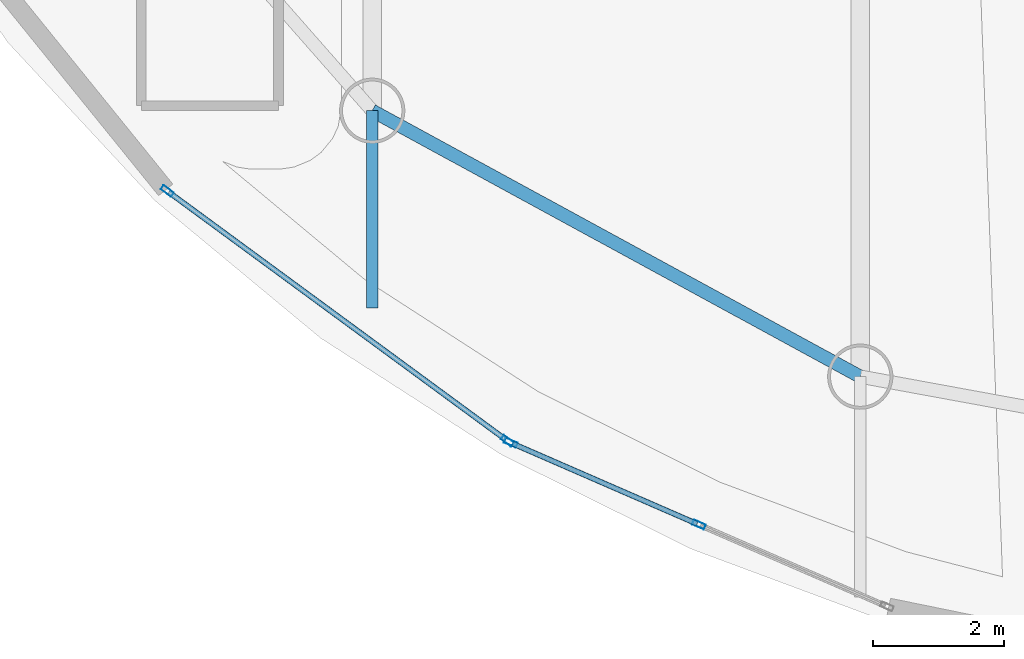
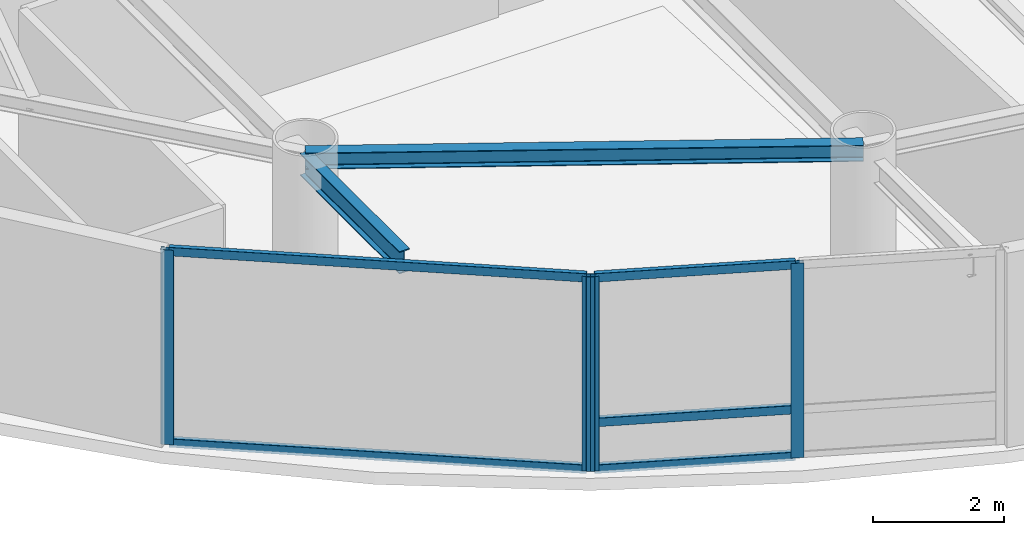
# One storey, part 2 of 20: 9 members, 2 beams, 2 elements without a shape of their own.
"""IFC4 building model written with IfcOpenShell, lengths in metres."""

from ifc_helpers import new_model, si_unit, direction, frame, origin, origin_2d, place, context, subcontext, project, spatial, hollow_rectangle, i_section, extrude, material, layer, layer_set, material_profile, profile_set, type_object, element, aggregate, save


model = new_model("IFC4")

# Units and contexts
model_context = context("Model", 3, precision=1e-05, world=origin(), true_north=direction((0.0, 1.0)))
body_context = subcontext(model_context, "Body", "Model", "MODEL_VIEW")
ifc_project = project(units=[si_unit("LENGTHUNIT", "METRE"), si_unit("AREAUNIT", "SQUARE_METRE"), si_unit("VOLUMEUNIT", "CUBIC_METRE"), si_unit("PLANEANGLEUNIT", "RADIAN"), si_unit("MASSUNIT", "GRAM", prefix="KILO")], contexts=[model_context])

# Site, building, storey
site_placement = place(None, origin())
site = spatial("IfcSite", under=ifc_project, at=site_placement, CompositionType="ELEMENT")
building_placement = place(site_placement, origin())
building = spatial("IfcBuilding", under=site, at=building_placement, Name="Bramvorn Convention Spire", CompositionType="ELEMENT")
storey_placement = place(building_placement, frame((0.0, 0.0, 269.0)))
storey = spatial("IfcBuildingStorey", under=building, at=storey_placement, Name="L68", CompositionType="ELEMENT", Elevation=269.0)

# Beams
ifc_material_1 = material(Name="Steel CSA G40.21 Grade 350 (350W)", Category="steel")
ifc_material_profile_1 = material_profile(ifc_material_1, i_section(OverallWidth=0.202880859375, OverallDepth=0.302978515625, WebThickness=0.007568359375, FlangeThickness=0.01318359375, FilletRadius=0.013916015625, at=origin_2d()))
ifc_profile_set_1 = profile_set([ifc_material_profile_1], Name="Steel CSA G40.21 Grade 350 (350W) - W310X60")
beam_type_1 = type_object("IfcBeamType", Name="BM-W310X60", PredefinedType="JOIST", material=ifc_profile_set_1)
beam_1_placement = place(storey_placement, frame((28.337646484375, 10.523193359375, 3.473388671875), z_axis=(0.878133224771, -0.478416178189, 0.0), x_axis=(0.478416178189, 0.878133224771, 0.0)))
element("IfcBeam", 1, at=beam_1_placement, inside=storey, type_object=beam_type_1, Name="L68 mega-column ring beam 14", PredefinedType="JOIST", context=body_context, shape_type="SweptSolid", body=[
    extrude(i_section(OverallWidth=0.202880859375, OverallDepth=0.302978515625, WebThickness=0.007568359375, FlangeThickness=0.01318359375, FilletRadius=0.013916015625, at=origin_2d()), origin(), (0.0, 0.0, 1.0), 8.515625),
])
ifc_material_profile_2 = material_profile(ifc_material_1, i_section(OverallWidth=0.180908203125, OverallDepth=0.4169921875, WebThickness=0.010986328125, FlangeThickness=0.018310546875, FilletRadius=0.01611328125, at=origin_2d()))
ifc_profile_set_2 = profile_set([ifc_material_profile_2], Name="Steel CSA G40.21 Grade 350 (350W) - W410X85")
beam_type_2 = type_object("IfcBeamType", Name="BM-W410X85", PredefinedType="JOIST", material=ifc_profile_set_2)
beam_2_placement = place(storey_placement, frame((28.337646484375, 10.523193359375, 3.37646484375), z_axis=(0.0, -1.0, 0.0), x_axis=(1.0, 0.0, 0.0)))
element("IfcBeam", 2, at=beam_2_placement, inside=storey, type_object=beam_type_2, Name="L68 Sky-Garden cantilever tip girder MC14", PredefinedType="JOIST", context=body_context, shape_type="SweptSolid", body=[
    extrude(i_section(OverallWidth=0.180908203125, OverallDepth=0.4169921875, WebThickness=0.010986328125, FlangeThickness=0.018310546875, FilletRadius=0.01611328125, at=origin_2d()), origin(), (0.0, 0.0, 1.0), 3.02587890625),
])

# Curtain wall, members
ifc_material_2 = material(Name="Anodised Bronze Unitised Curtain Wall", Category="aluminium")
ifc_layer = layer(ifc_material_2, 0.179931640625)
ifc_layer_set = layer_set([ifc_layer], Name="Anodised Bronze Unitised Curtain Wall - CW-OFF-FRIT")
curtain_wall_type = type_object("IfcCurtainWallType", Name="CW-OFF-FRIT", PredefinedType="USERDEFINED", material=ifc_layer_set)
curtain_wall_1_placement = place(storey_placement, origin())
curtain_wall_1 = element("IfcCurtainWall", 3, at=curtain_wall_1_placement, inside=storey, type_object=curtain_wall_type, Name="L68 fritted glass curtain wall 20", ObjectType="UNITISED CURTAIN WALL", PredefinedType="USERDEFINED")
ifc_material_3 = material(Name="Anodised Bronze Aluminium 6063-T6", Category="aluminium")
ifc_material_profile_3 = material_profile(ifc_material_3, hollow_rectangle(XDim=0.080078125, YDim=0.199951171875, WallThickness=0.00390625, InnerFilletRadius=0.0009765625, OuterFilletRadius=0.00390625, at=origin_2d()))
ifc_profile_set_3 = profile_set([ifc_material_profile_3], Name="Anodised Bronze Aluminium 6063-T6 - CWM80X200")
member_type_1 = type_object("IfcMemberType", Name="CW-MUL-180", PredefinedType="MULLION", material=ifc_profile_set_3)
member_1_placement = place(storey_placement, frame((30.40966796875, 5.465576171875, 0.0), z_axis=(0.0, 0.0, 1.0), x_axis=(-0.591903592512, -0.806008769909, 0.0)))
member_1 = element("IfcMember", 4, at=member_1_placement, type_object=member_type_1, Name="CW3 mullion 1", PredefinedType="MULLION", context=body_context, shape_type="SweptSolid", body=[
    extrude(hollow_rectangle(XDim=0.080078125, YDim=0.199951171875, WallThickness=0.00390625, InnerFilletRadius=0.0009765625, OuterFilletRadius=0.00390625, at=origin_2d()), origin(), (0.0, 0.0, 1.0), 3.625),
])
member_2_placement = place(storey_placement, frame((25.19775390625, 9.292724609375, 0.0), z_axis=(0.0, 0.0, 1.0), x_axis=(-0.591903592512, -0.806008769909, 0.0)))
member_2 = element("IfcMember", 5, at=member_2_placement, type_object=member_type_1, Name="CW3 mullion 2", PredefinedType="MULLION", context=body_context, shape_type="SweptSolid", body=[
    extrude(hollow_rectangle(XDim=0.080078125, YDim=0.199951171875, WallThickness=0.00390625, InnerFilletRadius=0.0009765625, OuterFilletRadius=0.00390625, at=origin_2d()), origin(), (0.0, 0.0, 1.0), 3.625),
])

curtain_wall_2_placement = place(storey_placement, origin())
curtain_wall_2 = element("IfcCurtainWall", 6, at=curtain_wall_2_placement, inside=storey, type_object=curtain_wall_type, Name="L68 fritted glass curtain wall 21", ObjectType="UNITISED CURTAIN WALL", PredefinedType="USERDEFINED")
member_3_placement = place(storey_placement, frame((33.3427734375, 4.181640625, 0.0), z_axis=(0.0, 0.0, 1.0), x_axis=(-0.399088558524, -0.916912385376, 0.0)))
member_3 = element("IfcMember", 7, at=member_3_placement, type_object=member_type_1, Name="CW3 mullion 2", PredefinedType="MULLION", context=body_context, shape_type="SweptSolid", body=[
    extrude(hollow_rectangle(XDim=0.080078125, YDim=0.199951171875, WallThickness=0.00390625, InnerFilletRadius=0.0009765625, OuterFilletRadius=0.00390625, at=origin_2d()), origin(), (0.0, 0.0, 1.0), 3.625),
])
member_4_placement = place(storey_placement, frame((30.46142578125, 5.435791015625, 0.0), z_axis=(0.0, 0.0, 1.0), x_axis=(-0.399088558524, -0.916912385376, 0.0)))
member_4 = element("IfcMember", 8, at=member_4_placement, type_object=member_type_1, Name="CW3 mullion 3", PredefinedType="MULLION", context=body_context, shape_type="SweptSolid", body=[
    extrude(hollow_rectangle(XDim=0.080078125, YDim=0.199951171875, WallThickness=0.00390625, InnerFilletRadius=0.0009765625, OuterFilletRadius=0.00390625, at=origin_2d()), origin(), (0.0, 0.0, 1.0), 3.625),
])

# Member
ifc_material_profile_4 = material_profile(ifc_material_3, hollow_rectangle(XDim=0.080078125, YDim=0.159912109375, WallThickness=0.00390625, InnerFilletRadius=0.0009765625, OuterFilletRadius=0.00390625, at=origin_2d()))
ifc_profile_set_4 = profile_set([ifc_material_profile_4], Name="Anodised Bronze Aluminium 6063-T6 - CWT80X160")
member_type_2 = type_object("IfcMemberType", Name="CW-TRN-150", PredefinedType="USERDEFINED", material=ifc_profile_set_4)
member_5_placement = place(storey_placement, frame((30.385498046875, 5.483154296875, 0.030029296875), z_axis=(-0.806004997653, 0.591908729246, 0.0), x_axis=(-0.591908729246, -0.806004997653, 0.0)))
member_5 = element("IfcMember", 9, at=member_5_placement, type_object=member_type_2, Name="CW3 transom 1.1", ObjectType="TRANSOM", PredefinedType="USERDEFINED", context=body_context, shape_type="SweptSolid", body=[
    extrude(hollow_rectangle(XDim=0.080078125, YDim=0.159912109375, WallThickness=0.00390625, InnerFilletRadius=0.0009765625, OuterFilletRadius=0.00390625, at=origin_2d()), origin(), (0.0, 0.0, 1.0), 6.406494140625),
])

member_6_placement = place(storey_placement, frame((30.385498046875, 5.483154296875, 3.594970703125), z_axis=(-0.806004997653, 0.591908729246, 0.0), x_axis=(-0.591908729246, -0.806004997653, 0.0)))
member_6 = element("IfcMember", 10, at=member_6_placement, type_object=member_type_2, Name="CW3 transom 1.2", ObjectType="TRANSOM", PredefinedType="USERDEFINED", context=body_context, shape_type="SweptSolid", body=[
    extrude(hollow_rectangle(XDim=0.080078125, YDim=0.159912109375, WallThickness=0.00390625, InnerFilletRadius=0.0009765625, OuterFilletRadius=0.00390625, at=origin_2d()), origin(), (0.0, 0.0, 1.0), 6.406494140625),
])

aggregate(curtain_wall_1, [member_1, member_2, member_5, member_6])

member_7_placement = place(storey_placement, frame((33.315185546875, 4.193603515625, 0.030029296875), z_axis=(-0.916910069493, 0.399093879259, 0.0), x_axis=(-0.399093879259, -0.916910069493, 0.0)))
member_7 = element("IfcMember", 11, at=member_7_placement, type_object=member_type_2, Name="CW3 transom 2.1", ObjectType="TRANSOM", PredefinedType="USERDEFINED", context=body_context, shape_type="SweptSolid", body=[
    extrude(hollow_rectangle(XDim=0.080078125, YDim=0.159912109375, WallThickness=0.00390625, InnerFilletRadius=0.0009765625, OuterFilletRadius=0.00390625, at=origin_2d()), origin(), (0.0, 0.0, 1.0), 3.08251953125),
])

member_8_placement = place(storey_placement, frame((33.315185546875, 4.193603515625, 0.89990234375), z_axis=(-0.916910069493, 0.399093879259, 0.0), x_axis=(-0.399093879259, -0.916910069493, 0.0)))
member_8 = element("IfcMember", 12, at=member_8_placement, type_object=member_type_2, Name="CW3 transom 2.2", ObjectType="TRANSOM", PredefinedType="USERDEFINED", context=body_context, shape_type="SweptSolid", body=[
    extrude(hollow_rectangle(XDim=0.080078125, YDim=0.159912109375, WallThickness=0.00390625, InnerFilletRadius=0.0009765625, OuterFilletRadius=0.00390625, at=origin_2d()), origin(), (0.0, 0.0, 1.0), 3.08251953125),
])

member_9_placement = place(storey_placement, frame((33.315185546875, 4.193603515625, 3.594970703125), z_axis=(-0.916910069493, 0.399093879259, 0.0), x_axis=(-0.399093879259, -0.916910069493, 0.0)))
member_9 = element("IfcMember", 13, at=member_9_placement, type_object=member_type_2, Name="CW3 transom 2.3", ObjectType="TRANSOM", PredefinedType="USERDEFINED", context=body_context, shape_type="SweptSolid", body=[
    extrude(hollow_rectangle(XDim=0.080078125, YDim=0.159912109375, WallThickness=0.00390625, InnerFilletRadius=0.0009765625, OuterFilletRadius=0.00390625, at=origin_2d()), origin(), (0.0, 0.0, 1.0), 3.08251953125),
])

aggregate(curtain_wall_2, [member_3, member_4, member_7, member_8, member_9])

save(model, "model.ifc")
